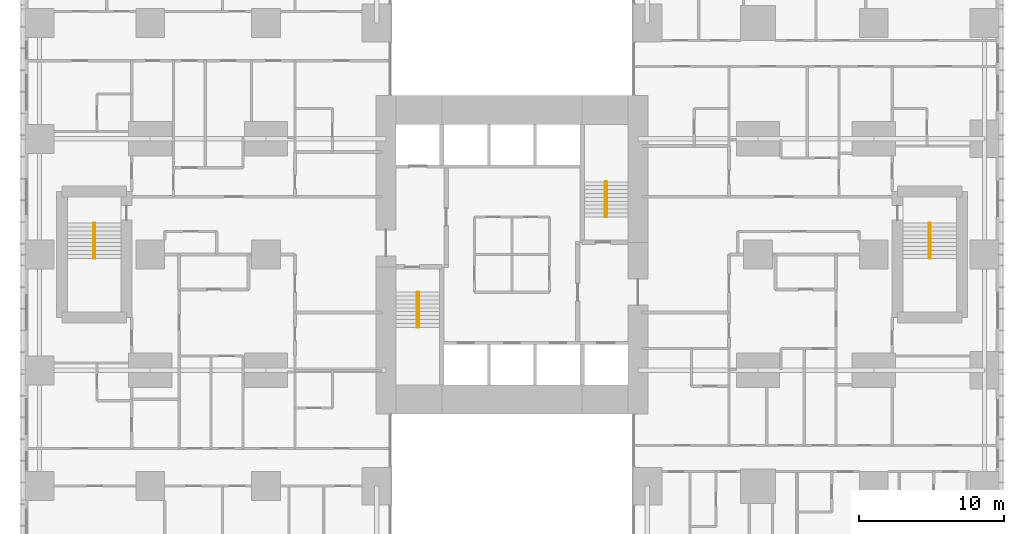
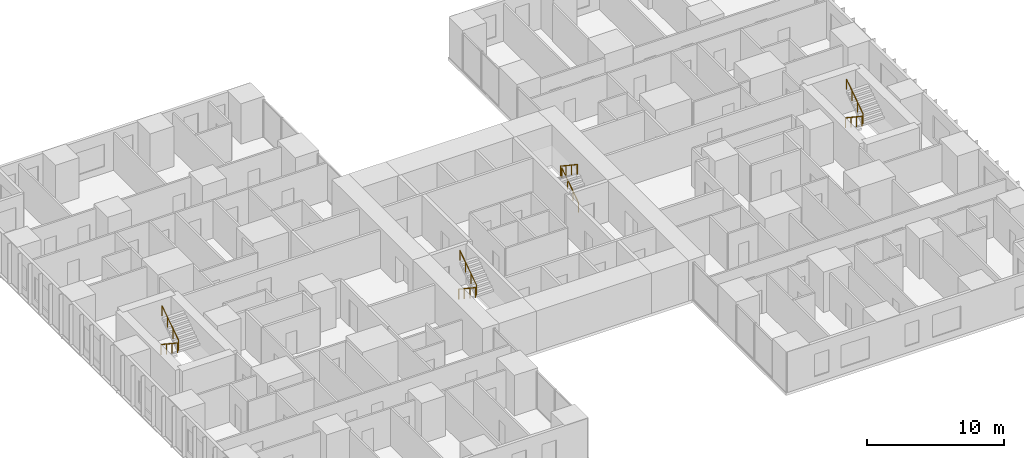
# One storey, part 20 of 20: 8 railings.
"""IFC4 building model written with IfcOpenShell, lengths in metres."""

from ifc_helpers import new_model, si_unit, direction, frame, origin, origin_2d, place, context, subcontext, project, spatial, circle, extrude, material, type_object, element, save


model = new_model("IFC4")

# Units and contexts
model_context = context("Model", 3, precision=1e-05, world=origin(), true_north=direction((0.0, 1.0)))
body_context = subcontext(model_context, "Body", "Model", "MODEL_VIEW")
ifc_project = project(units=[si_unit("LENGTHUNIT", "METRE"), si_unit("AREAUNIT", "SQUARE_METRE"), si_unit("VOLUMEUNIT", "CUBIC_METRE"), si_unit("PLANEANGLEUNIT", "RADIAN"), si_unit("MASSUNIT", "GRAM", prefix="KILO")], contexts=[model_context])

# Site, building, storey
site_placement = place(None, origin())
site = spatial("IfcSite", under=ifc_project, at=site_placement, CompositionType="ELEMENT")
building_placement = place(site_placement, origin())
building = spatial("IfcBuilding", under=site, at=building_placement, Name="Cleftline Residences", CompositionType="ELEMENT")
storey_placement = place(building_placement, frame((0.0, 0.0, 51.199951171875)))
storey = spatial("IfcBuildingStorey", under=building, at=storey_placement, Name="L12", CompositionType="ELEMENT", Elevation=51.199951171875)

# Railings
ifc_material = material(Name="Stainless steel", Category="steel")
railing_type = type_object("IfcRailingType", Name="HANDRAIL 900", PredefinedType="HANDRAIL", material=ifc_material)
railing_1_placement = place(storey_placement, frame((26.449951171875, 21.39990234375, 0.179931640625)))
element("IfcRailing", 1, at=railing_1_placement, inside=storey, type_object=railing_type, Name="Stair handrail", PredefinedType="HANDRAIL", context=body_context, shape_type="SweptSolid", body=[
    extrude(circle(Radius=0.02392578125, at=origin_2d()), frame((0.0, 0.0, 0.8759765625), z_axis=(0.0, -0.832024571796, 0.554738778101), x_axis=(1.0, 0.0, 0.0)), (0.0, 0.0, 1.0), 2.92041015625),
    extrude(circle(Radius=0.02099609375, at=origin_2d()), origin(), (0.0, 0.0, 1.0), 0.851806640625),
    extrude(circle(Radius=0.02099609375, at=origin_2d()), frame((0.0, -0.81005859375, 0.5400390625)), (0.0, 0.0, 1.0), 0.851806640625),
    extrude(circle(Radius=0.02099609375, at=origin_2d()), frame((0.0, -1.619873046875, 1.080078125)), (0.0, 0.0, 1.0), 0.851806640625),
    extrude(circle(Radius=0.02099609375, at=origin_2d()), frame((0.0, -2.429931640625, 1.6201171875)), (0.0, 0.0, 1.0), 0.851806640625),
])
for number, where, name in (
    (2, (26.550048828125, 18.969970703125, 1.97998046875), "Stair handrail"),
    (3, (39.550048828125, 26.60009765625, 0.179931640625), "Stair handrail"),
):
    element("IfcRailing", number, at=place(storey_placement, frame(where)), inside=storey, type_object=railing_type, Name=name, PredefinedType="HANDRAIL", context=body_context, shape_type="SweptSolid", body=[
        extrude(circle(Radius=0.02392578125, at=origin_2d()), frame((0.0, 0.0, 0.8759765625), z_axis=(0.0, 0.832024571796, 0.554738778101), x_axis=(-1.0, 0.0, 0.0)), (0.0, 0.0, 1.0), 2.92041015625),
        extrude(circle(Radius=0.02099609375, at=origin_2d()), origin(), (0.0, 0.0, 1.0), 0.851806640625),
        extrude(circle(Radius=0.02099609375, at=origin_2d()), frame((0.0, 0.81005859375, 0.5400390625)), (0.0, 0.0, 1.0), 0.851806640625),
        extrude(circle(Radius=0.02099609375, at=origin_2d()), frame((0.0, 1.619873046875, 1.080078125)), (0.0, 0.0, 1.0), 0.851806640625),
        extrude(circle(Radius=0.02099609375, at=origin_2d()), frame((0.0, 2.429931640625, 1.6201171875)), (0.0, 0.0, 1.0), 0.851806640625),
    ])
for number, where, name in (
    (4, (39.449951171875, 29.030029296875, 1.97998046875), "Stair handrail"),
    (5, (61.824951171875, 26.175048828125, 0.179931640625), "Stair handrail"),
):
    element("IfcRailing", number, at=place(storey_placement, frame(where)), inside=storey, type_object=railing_type, Name=name, PredefinedType="HANDRAIL", context=body_context, shape_type="SweptSolid", body=[
        extrude(circle(Radius=0.02392578125, at=origin_2d()), frame((0.0, 0.0, 0.8759765625), z_axis=(0.0, -0.832024571796, 0.554738778101), x_axis=(1.0, 0.0, 0.0)), (0.0, 0.0, 1.0), 2.92041015625),
        extrude(circle(Radius=0.02099609375, at=origin_2d()), origin(), (0.0, 0.0, 1.0), 0.851806640625),
        extrude(circle(Radius=0.02099609375, at=origin_2d()), frame((0.0, -0.81005859375, 0.5400390625)), (0.0, 0.0, 1.0), 0.851806640625),
        extrude(circle(Radius=0.02099609375, at=origin_2d()), frame((0.0, -1.619873046875, 1.080078125)), (0.0, 0.0, 1.0), 0.851806640625),
        extrude(circle(Radius=0.02099609375, at=origin_2d()), frame((0.0, -2.429931640625, 1.6201171875)), (0.0, 0.0, 1.0), 0.851806640625),
    ])
railing_2_placement = place(storey_placement, frame((61.925048828125, 23.7451171875, 1.97998046875)))
element("IfcRailing", 6, at=railing_2_placement, inside=storey, type_object=railing_type, Name="Stair handrail", PredefinedType="HANDRAIL", context=body_context, shape_type="SweptSolid", body=[
    extrude(circle(Radius=0.02392578125, at=origin_2d()), frame((0.0, 0.0, 0.8759765625), z_axis=(0.0, 0.832024571796, 0.554738778101), x_axis=(-1.0, 0.0, 0.0)), (0.0, 0.0, 1.0), 2.92041015625),
    extrude(circle(Radius=0.02099609375, at=origin_2d()), origin(), (0.0, 0.0, 1.0), 0.851806640625),
    extrude(circle(Radius=0.02099609375, at=origin_2d()), frame((0.0, 0.81005859375, 0.5400390625)), (0.0, 0.0, 1.0), 0.851806640625),
    extrude(circle(Radius=0.02099609375, at=origin_2d()), frame((0.0, 1.619873046875, 1.080078125)), (0.0, 0.0, 1.0), 0.851806640625),
    extrude(circle(Radius=0.02099609375, at=origin_2d()), frame((0.0, 2.429931640625, 1.6201171875)), (0.0, 0.0, 1.0), 0.851806640625),
])
railing_3_placement = place(storey_placement, frame((4.074951171875, 26.175048828125, 0.179931640625)))
element("IfcRailing", 7, at=railing_3_placement, inside=storey, type_object=railing_type, Name="Stair handrail", PredefinedType="HANDRAIL", context=body_context, shape_type="SweptSolid", body=[
    extrude(circle(Radius=0.02392578125, at=origin_2d()), frame((0.0, 0.0, 0.8759765625), z_axis=(0.0, -0.832024571796, 0.554738778101), x_axis=(1.0, 0.0, 0.0)), (0.0, 0.0, 1.0), 2.92041015625),
    extrude(circle(Radius=0.02099609375, at=origin_2d()), origin(), (0.0, 0.0, 1.0), 0.851806640625),
    extrude(circle(Radius=0.02099609375, at=origin_2d()), frame((0.0, -0.81005859375, 0.5400390625)), (0.0, 0.0, 1.0), 0.851806640625),
    extrude(circle(Radius=0.02099609375, at=origin_2d()), frame((0.0, -1.619873046875, 1.080078125)), (0.0, 0.0, 1.0), 0.851806640625),
    extrude(circle(Radius=0.02099609375, at=origin_2d()), frame((0.0, -2.429931640625, 1.6201171875)), (0.0, 0.0, 1.0), 0.851806640625),
])
railing_4_placement = place(storey_placement, frame((4.175048828125, 23.7451171875, 1.97998046875)))
element("IfcRailing", 8, at=railing_4_placement, inside=storey, type_object=railing_type, Name="Stair handrail", PredefinedType="HANDRAIL", context=body_context, shape_type="SweptSolid", body=[
    extrude(circle(Radius=0.02392578125, at=origin_2d()), frame((0.0, 0.0, 0.8759765625), z_axis=(0.0, 0.832024571796, 0.554738778101), x_axis=(-1.0, 0.0, 0.0)), (0.0, 0.0, 1.0), 2.92041015625),
    extrude(circle(Radius=0.02099609375, at=origin_2d()), origin(), (0.0, 0.0, 1.0), 0.851806640625),
    extrude(circle(Radius=0.02099609375, at=origin_2d()), frame((0.0, 0.81005859375, 0.5400390625)), (0.0, 0.0, 1.0), 0.851806640625),
    extrude(circle(Radius=0.02099609375, at=origin_2d()), frame((0.0, 1.619873046875, 1.080078125)), (0.0, 0.0, 1.0), 0.851806640625),
    extrude(circle(Radius=0.02099609375, at=origin_2d()), frame((0.0, 2.429931640625, 1.6201171875)), (0.0, 0.0, 1.0), 0.851806640625),
])

save(model, "model.ifc")
